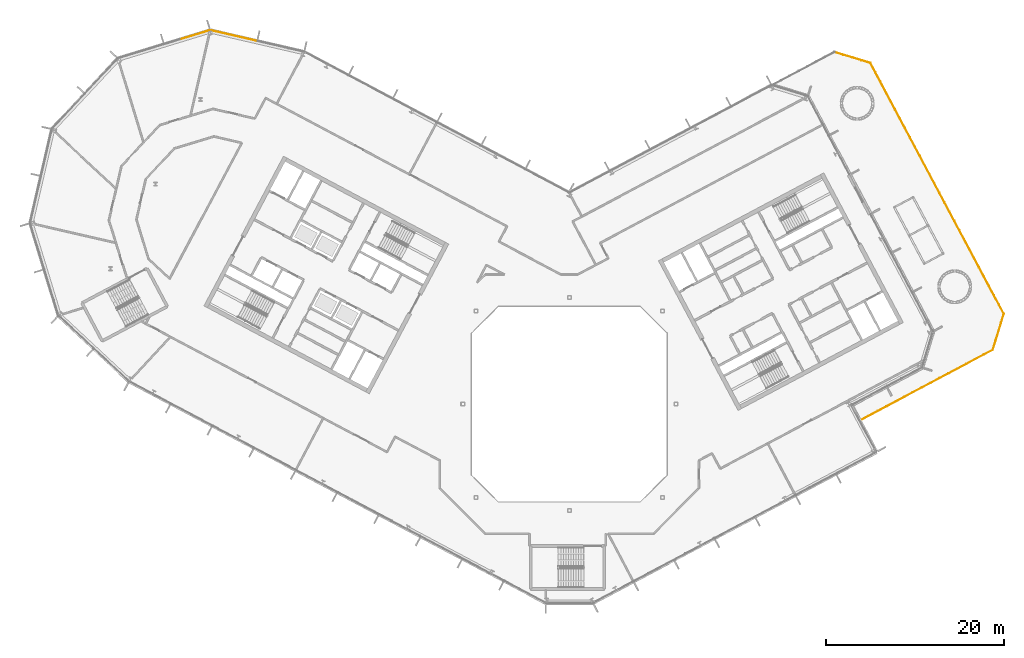
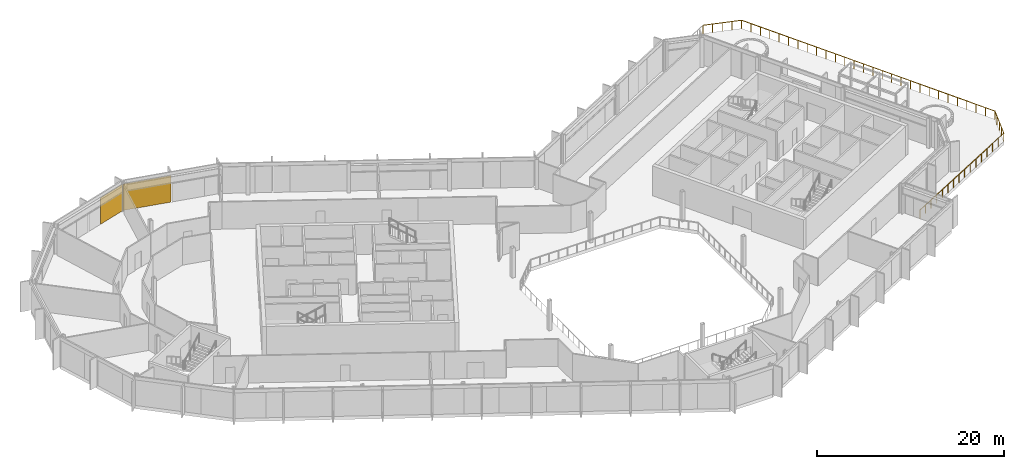
# One storey, part 29 of 30: 2 coverings, 1 railing, 2 elements without a shape of their own.
"""IFC4 building model written with IfcOpenShell, lengths in metres."""

import ifcopenshell
import ifcopenshell.guid

model = None  # the IFC model being written
_history = None  # IfcOwnerHistory: only IFC2X3 demands one
_inside = {}  # id of a spatial element -> (the spatial element, [elements in it])
_under = {}  # id of a project, library or spatial element -> (it, [spatial elements below it])
_declared = {}  # id of a project -> (the project, [libraries it declares])
_typed = {}  # id of a type object -> (the type object, [elements of that type])
_made_of = {}  # id of a material, layer set ... -> (it, [elements and type objects made of it])


def new_model(schema):
    """Start an empty IFC model of exactly this schema.

    Asked for "IFC4X3", IfcOpenShell would pick the latest addendum, in which some entities
    have other attributes; the version numbers below select the first issue.
    IFC2X3 requires an IfcOwnerHistory on every rooted entity: one is made here for all.
    """
    global model, _history
    if schema == "IFC4X3":
        model = ifcopenshell.file(schema_version=(4, 3, 0, 0))
    else:
        model = ifcopenshell.file(schema=schema)
    _inside.clear()
    _under.clear()
    _declared.clear()
    _typed.clear()
    _made_of.clear()
    _history = None
    if model.schema == "IFC2X3":
        org = make("IfcOrganization", Name="unknown")
        user = make(
            "IfcPersonAndOrganization",
            ThePerson=make("IfcPerson", FamilyName="unknown"),
            TheOrganization=org,
        )
        app = make(
            "IfcApplication",
            ApplicationDeveloper=org,
            Version="unknown",
            ApplicationFullName="unknown",
            ApplicationIdentifier="unknown",
        )
        _history = make(
            "IfcOwnerHistory",
            OwningUser=user,
            OwningApplication=app,
            ChangeAction="ADDED",
            CreationDate=0,
        )
    return model


def make(cls, **values):
    """One entity of the class cls with the attributes given. An attribute that is None is left unset."""
    return model.create_entity(
        cls, **{name: value for name, value in values.items() if value is not None}
    )


def rooted(cls, **values):
    """An entity with a GlobalId (a new one), such as an element, a storey or a relation."""
    return make(cls, GlobalId=ifcopenshell.guid.new(), OwnerHistory=_history, **values)


def si_unit(unit_type, name, prefix=None):
    """IfcSIUnit, for example si_unit("LENGTHUNIT", "METRE", prefix="MILLI")."""
    return make("IfcSIUnit", UnitType=unit_type, Prefix=prefix, Name=name)


def assignment(units):
    """IfcUnitAssignment: the units of a project."""
    return None if units is None else make("IfcUnitAssignment", Units=units)


def point(xyz):
    """IfcCartesianPoint."""
    return None if xyz is None else make("IfcCartesianPoint", Coordinates=xyz)


def direction(xyz):
    """IfcDirection."""
    return None if xyz is None else make("IfcDirection", DirectionRatios=xyz)


def frame(location, z_axis=None, x_axis=None):
    """IfcAxis2Placement3D, a coordinate frame: its origin and axes. An axis left out is left unset."""
    return make(
        "IfcAxis2Placement3D",
        Location=point(location),
        Axis=direction(z_axis),
        RefDirection=direction(x_axis),
    )


def frame_2d(location, x_axis=None):
    """IfcAxis2Placement2D, a coordinate frame in the plane: its origin and x axis."""
    return make(
        "IfcAxis2Placement2D", Location=point(location), RefDirection=direction(x_axis)
    )


def origin():
    """The frame at (0, 0, 0) with its axes left unset."""
    return frame((0.0, 0.0, 0.0))


def origin_2d():
    """The frame at (0, 0) in the plane with its x axis left unset."""
    return frame_2d((0.0, 0.0))


def place(relative_to, where):
    """IfcLocalPlacement: puts the frame where relative to a parent placement (None: the world)."""
    return make(
        "IfcLocalPlacement", PlacementRelTo=relative_to, RelativePlacement=where
    )


def context(
    kind, dimensions, precision=None, world=None, true_north=None, identifier=None
):
    """IfcGeometricRepresentationContext, for example the 3D "Model" context."""
    return make(
        "IfcGeometricRepresentationContext",
        ContextIdentifier=identifier,
        ContextType=kind,
        CoordinateSpaceDimension=dimensions,
        Precision=precision,
        WorldCoordinateSystem=world,
        TrueNorth=true_north,
    )


def subcontext(parent, identifier, kind, view, scale=None):
    """IfcGeometricRepresentationSubContext, for example "Body" below "Model"."""
    return make(
        "IfcGeometricRepresentationSubContext",
        ContextIdentifier=identifier,
        ContextType=kind,
        ParentContext=parent,
        TargetScale=scale,
        TargetView=view,
    )


def project(units=None, contexts=None):
    """IfcProject with its units and contexts."""
    return rooted(
        "IfcProject",
        Name="project",
        RepresentationContexts=contexts,
        UnitsInContext=assignment(units),
    )


def spatial(cls, under=None, at=None, **own):
    """A site, building, storey or space (cls), placed at a placement, below another one or the project."""
    s = rooted(cls, ObjectPlacement=at, **own)
    if under is not None:
        _under.setdefault(under.id(), (under, []))[1].append(s)
    return s


def polyline(points):
    """IfcPolyline through the points."""
    return make("IfcPolyline", Points=[point(p) for p in points])


def profile(cls, at=None, kind="AREA", **sizes):
    """A parametric profile (cls). Its sizes go by their IFC names, for example OverallWidth=200.0."""
    return make(cls, ProfileType=kind, Position=at, **sizes)


def rectangle(**sizes):
    """IfcRectangleProfileDef."""
    return profile("IfcRectangleProfileDef", **sizes)


def outline(outer, holes=None, kind="AREA"):
    """IfcArbitraryClosedProfileDef: a profile drawn as a closed curve; with holes, ...WithVoids."""
    if holes is None:
        return make("IfcArbitraryClosedProfileDef", ProfileType=kind, OuterCurve=outer)
    return make(
        "IfcArbitraryProfileDefWithVoids",
        ProfileType=kind,
        OuterCurve=outer,
        InnerCurves=holes,
    )


def extrude(swept, where, along, depth):
    """IfcExtrudedAreaSolid: the profile swept, set in the frame where, extruded along a direction by depth."""
    return make(
        "IfcExtrudedAreaSolid",
        SweptArea=swept,
        Position=where,
        ExtrudedDirection=direction(along),
        Depth=depth,
    )


def shape(context_of_items, identifier, shape_type, items):
    """IfcShapeRepresentation: the items that make up one representation, for example the "Body"."""
    return make(
        "IfcShapeRepresentation",
        ContextOfItems=context_of_items,
        RepresentationIdentifier=identifier,
        RepresentationType=shape_type,
        Items=items,
    )


def material(Name=None, Category=None):
    """IfcMaterial."""
    return make("IfcMaterial", Name=Name, Category=Category)


def layer(
    of_material, thickness, ventilated=None, Name=None, Category=None, Priority=None
):
    """IfcMaterialLayer: one layer of a wall or slab, of a material (None: an air gap)."""
    return make(
        "IfcMaterialLayer",
        Material=of_material,
        LayerThickness=thickness,
        IsVentilated=ventilated,
        Name=Name,
        Category=Category,
        Priority=Priority,
    )


def layer_set(layers, Name=None):
    """IfcMaterialLayerSet."""
    return make("IfcMaterialLayerSet", MaterialLayers=layers, LayerSetName=Name)


def made_of(thing, what):
    """Note that an element or type object is made of a material, layer set ...; save() writes the relation."""
    if what is not None:
        _made_of.setdefault(what.id(), (what, []))[1].append(thing)
    return thing


def type_object(cls, material=None, **own):
    """A type object (cls), such as IfcWallType, which elements share."""
    return made_of(rooted(cls, **own), material)


def element(
    cls,
    number,
    at=None,
    inside=None,
    cuts=None,
    type_object=None,
    material=None,
    context=None,
    identifier="Body",
    shape_type=None,
    held_by="IfcProductDefinitionShape",
    body=None,
    shapes=None,
    **own,
):
    """One element of the class cls, such as IfcWall. Its Tag is "e" and its number.

    at: its placement. inside: the storey or other place that contains it. cuts: it is an
    opening in that element (IfcRelVoidsElement). A single representation is given by context,
    identifier, shape_type and body (its items); several are given by shapes. held_by: the class
    of the entity that holds the representations. save() writes the other relations.
    """
    e = rooted(cls, Tag="e%d" % number, ObjectPlacement=at, **own)
    if body is not None:
        shapes = [shape(context, identifier, shape_type, body)]
    if shapes is not None:
        e.Representation = make(held_by, Representations=shapes)
    if inside is not None:
        _inside.setdefault(inside.id(), (inside, []))[1].append(e)
    if cuts is not None:
        rooted(
            "IfcRelVoidsElement", RelatingBuildingElement=cuts, RelatedOpeningElement=e
        )
    if type_object is not None:
        _typed.setdefault(type_object.id(), (type_object, []))[1].append(e)
    return made_of(e, material)


def aggregate(whole, parts):
    """IfcRelAggregates: a whole, such as a stair, and the parts it consists of."""
    return rooted("IfcRelAggregates", RelatingObject=whole, RelatedObjects=parts)


def save(model, path):
    """Write the relations noted so far, then the file.

    IfcRelAggregates (storeys below a building ...), IfcRelContainedInSpatialStructure (elements
    in a storey), IfcRelDefinesByType, IfcRelAssociatesMaterial and IfcRelDeclares: one each for
    every whole, place, type object, material and project.
    """
    for whole, parts in _under.values():
        aggregate(whole, parts)
    for where, things in _inside.values():
        rooted(
            "IfcRelContainedInSpatialStructure",
            RelatedElements=things,
            RelatingStructure=where,
        )
    for kind, things in _typed.values():
        rooted("IfcRelDefinesByType", RelatedObjects=things, RelatingType=kind)
    for what, things in _made_of.values():
        rooted("IfcRelAssociatesMaterial", RelatedObjects=things, RelatingMaterial=what)
    for by, libraries in _declared.values():
        rooted("IfcRelDeclares", RelatingContext=by, RelatedDefinitions=libraries)
    model.write(path)


model = new_model("IFC4")

# Units and contexts
model_context = context("Model", 3, precision=1e-05, world=origin(), true_north=direction((0.0, 1.0)))
body_context = subcontext(model_context, "Body", "Model", "MODEL_VIEW")
ifc_project = project(units=[si_unit("LENGTHUNIT", "METRE"), si_unit("AREAUNIT", "SQUARE_METRE"), si_unit("VOLUMEUNIT", "CUBIC_METRE"), si_unit("PLANEANGLEUNIT", "RADIAN"), si_unit("MASSUNIT", "GRAM", prefix="KILO")], contexts=[model_context])

# Site, building, storey
site_placement = place(None, origin())
site = spatial("IfcSite", under=ifc_project, at=site_placement, CompositionType="ELEMENT")
building_placement = place(site_placement, origin())
building = spatial("IfcBuilding", under=site, at=building_placement, Name="Cormorant Relay Tower", CompositionType="ELEMENT")
storey_placement = place(building_placement, frame((0.0, 0.0, 258.0)))
storey = spatial("IfcBuildingStorey", under=building, at=storey_placement, Name="L57", CompositionType="ELEMENT", Elevation=258.0)

# Curtain wall, covering
ifc_material_1 = material(Name="Aluminium 6063-T6 anodised bronze", Category="aluminium")
ifc_layer_1 = layer(ifc_material_1, 0.199951171875)
ifc_layer_set_1 = layer_set([ifc_layer_1], Name="CW1 unitised bronze curtain wall with vertical fins")
curtain_wall_type = type_object("IfcCurtainWallType", Name="CW1 unitised bronze curtain wall with vertical fins", PredefinedType="NOTDEFINED", material=ifc_layer_set_1)
curtain_wall_1_placement = place(storey_placement, origin())
curtain_wall_1 = element("IfcCurtainWall", 1, at=curtain_wall_1_placement, inside=storey, type_object=curtain_wall_type, Name="CW1 curtain wall 10", PredefinedType="NOTDEFINED")
ifc_material_2 = material(Name="Pale bronze anodised aluminium insulated panel", Category="aluminium")
ifc_layer_2 = layer(ifc_material_2, 0.0400390625)
ifc_layer_set_2 = layer_set([ifc_layer_2], Name="CW1 pale bronze insulated panel 40")
covering_type = type_object("IfcCoveringType", Name="CW1 pale bronze insulated panel 40", PredefinedType="CLADDING", material=ifc_layer_set_2)
covering_1_placement = place(storey_placement, frame((-37.849609375, 41.530029296875, 0.0), z_axis=(0.0, 0.0, 1.0), x_axis=(-0.974370064785, 0.224951054344, 0.0)))
covering_1 = element("IfcCovering", 2, at=covering_1_placement, type_object=covering_type, Name="CW1 panel S02", PredefinedType="CLADDING", context=body_context, shape_type="SweptSolid", body=[
    extrude(rectangle(XDim=5.360107421875, YDim=0.0400390625, at=origin_2d()), origin(), (0.0, 0.0, 1.0), 3.449951171875),
])
aggregate(curtain_wall_1, [covering_1])

curtain_wall_2_placement = place(storey_placement, origin())
curtain_wall_2 = element("IfcCurtainWall", 3, at=curtain_wall_2_placement, inside=storey, type_object=curtain_wall_type, Name="CW1 curtain wall 11", PredefinedType="NOTDEFINED")
covering_2_placement = place(storey_placement, frame((-42.209716796875, 41.60107421875, 0.0), z_axis=(0.0, 0.0, 1.0), x_axis=(-0.956304755963, -0.292371704723, 0.0)))
covering_2 = element("IfcCovering", 4, at=covering_2_placement, type_object=covering_type, Name="CW1 panel S00", PredefinedType="CLADDING", context=body_context, shape_type="SweptSolid", body=[
    extrude(rectangle(XDim=3.485107421875, YDim=0.0400390625, at=origin_2d()), origin(), (0.0, 0.0, 1.0), 3.449951171875),
])
aggregate(curtain_wall_2, [covering_2])

# Railing
ifc_material_3 = material(Name="Stainless steel guard with laminated glass infill", Category="steel")
railing_type = type_object("IfcRailingType", Name="Slab edge guard 1100", PredefinedType="GUARDRAIL", material=ifc_material_3)
railing_placement = place(storey_placement, frame((29.873779296875, 39.668212890625, 0.0)))
element("IfcRailing", 5, at=railing_placement, inside=storey, type_object=railing_type, Name="Terrace guard L57", PredefinedType="GUARDRAIL", context=body_context, shape_type="SweptSolid", body=[
    extrude(outline(polyline([(0.022216796875, 0.00927734375), (0.00927734375, 0.022216796875), (-0.00927734375, 0.022216796875), (-0.022216796875, 0.00927734375), (-0.022216796875, -0.00927734375), (-0.00927734375, -0.022216796875), (0.00927734375, -0.022216796875), (0.022216796875, -0.00927734375), (0.022216796875, 0.00927734375)])), frame((0.0, 0.0, 1.076171875), z_axis=(0.95629884225, -0.292391046905, 0.0), x_axis=(0.292391046905, 0.95629884225, 0.0)), (0.0, 0.0, 1.0), 4.242431640625),
    extrude(outline(polyline([(0.022216796875, 0.00927734375), (0.00927734375, 0.022216796875), (-0.00927734375, 0.022216796875), (-0.022216796875, 0.00927734375), (-0.022216796875, -0.00927734375), (-0.00927734375, -0.022216796875), (0.00927734375, -0.022216796875), (0.022216796875, -0.00927734375), (0.022216796875, 0.00927734375)])), frame((4.05712890625, -1.240478515625, 1.076171875), z_axis=(0.469473153673, -0.882946746967, 0.0), x_axis=(0.882946746967, 0.469473153673, 0.0)), (0.0, 0.0, 1.0), 32.0),
    extrude(outline(polyline([(0.022216796875, 0.00927734375), (0.00927734375, 0.022216796875), (-0.00927734375, 0.022216796875), (-0.022216796875, 0.00927734375), (-0.022216796875, -0.00927734375), (-0.00927734375, -0.022216796875), (0.00927734375, -0.022216796875), (0.022216796875, -0.00927734375), (0.022216796875, 0.00927734375)])), frame((19.080322265625, -29.494873046875, 1.076171875), z_axis=(-0.292391046905, -0.95629884225, 0.0), x_axis=(0.95629884225, -0.292391046905, 0.0)), (0.0, 0.0, 1.0), 4.242431640625),
    extrude(outline(polyline([(0.022216796875, 0.00927734375), (0.00927734375, 0.022216796875), (-0.00927734375, 0.022216796875), (-0.022216796875, 0.00927734375), (-0.022216796875, -0.00927734375), (-0.00927734375, -0.022216796875), (0.00927734375, -0.022216796875), (0.022216796875, -0.00927734375), (0.022216796875, 0.00927734375)])), frame((17.83984375, -33.552001953125, 1.076171875), z_axis=(-0.882946328049, -0.46947394154, 0.0), x_axis=(0.46947394154, -0.882946328049, 0.0)), (0.0, 0.0, 1.0), 16.949951171875),
    extrude(outline(polyline([(0.019287109375, 0.008056640625), (0.008056640625, 0.019287109375), (-0.008056640625, 0.019287109375), (-0.019287109375, 0.008056640625), (-0.019287109375, -0.008056640625), (-0.008056640625, -0.019287109375), (0.008056640625, -0.019287109375), (0.019287109375, -0.008056640625), (0.019287109375, 0.008056640625)])), origin(), (0.0, 0.0, 1.0), 1.052001953125),
    extrude(outline(polyline([(0.019287109375, 0.008056640625), (0.008056640625, 0.019287109375), (-0.008056640625, 0.019287109375), (-0.019287109375, 0.008056640625), (-0.019287109375, -0.008056640625), (-0.008056640625, -0.019287109375), (0.008056640625, -0.019287109375), (0.019287109375, -0.008056640625), (0.019287109375, 0.008056640625)])), frame((1.01416015625, -0.31005859375, 0.0)), (0.0, 0.0, 1.0), 1.052001953125),
    extrude(outline(polyline([(0.019287109375, 0.008056640625), (0.008056640625, 0.019287109375), (-0.008056640625, 0.019287109375), (-0.019287109375, 0.008056640625), (-0.019287109375, -0.008056640625), (-0.008056640625, -0.019287109375), (0.008056640625, -0.019287109375), (0.019287109375, -0.008056640625), (0.019287109375, 0.008056640625)])), frame((2.028564453125, -0.6201171875, 0.0)), (0.0, 0.0, 1.0), 1.052001953125),
    extrude(outline(polyline([(0.019287109375, 0.008056640625), (0.008056640625, 0.019287109375), (-0.008056640625, 0.019287109375), (-0.019287109375, 0.008056640625), (-0.019287109375, -0.008056640625), (-0.008056640625, -0.019287109375), (0.008056640625, -0.019287109375), (0.019287109375, -0.008056640625), (0.019287109375, 0.008056640625)])), frame((3.04296875, -0.930419921875, 0.0)), (0.0, 0.0, 1.0), 1.052001953125),
    extrude(outline(polyline([(0.019287109375, 0.008056640625), (0.008056640625, 0.019287109375), (-0.008056640625, 0.019287109375), (-0.019287109375, 0.008056640625), (-0.019287109375, -0.008056640625), (-0.008056640625, -0.019287109375), (0.008056640625, -0.019287109375), (0.019287109375, -0.008056640625), (0.019287109375, 0.008056640625)])), frame((4.05712890625, -1.240478515625, 0.0)), (0.0, 0.0, 1.0), 1.052001953125),
    extrude(outline(polyline([(0.019287109375, 0.008056640625), (0.008056640625, 0.019287109375), (-0.008056640625, 0.019287109375), (-0.019287109375, 0.008056640625), (-0.019287109375, -0.008056640625), (-0.008056640625, -0.019287109375), (0.008056640625, -0.019287109375), (0.019287109375, -0.008056640625), (0.019287109375, 0.008056640625)])), frame((4.613525390625, -2.286865234375, 0.0)), (0.0, 0.0, 1.0), 1.052001953125),
    extrude(outline(polyline([(0.019287109375, 0.008056640625), (0.008056640625, 0.019287109375), (-0.008056640625, 0.019287109375), (-0.019287109375, 0.008056640625), (-0.019287109375, -0.008056640625), (-0.008056640625, -0.019287109375), (0.008056640625, -0.019287109375), (0.019287109375, -0.008056640625), (0.019287109375, 0.008056640625)])), frame((5.169921875, -3.33349609375, 0.0)), (0.0, 0.0, 1.0), 1.052001953125),
    extrude(outline(polyline([(0.019287109375, 0.008056640625), (0.008056640625, 0.019287109375), (-0.008056640625, 0.019287109375), (-0.019287109375, 0.008056640625), (-0.019287109375, -0.008056640625), (-0.008056640625, -0.019287109375), (0.008056640625, -0.019287109375), (0.019287109375, -0.008056640625), (0.019287109375, 0.008056640625)])), frame((5.726318359375, -4.3798828125, 0.0)), (0.0, 0.0, 1.0), 1.052001953125),
    extrude(outline(polyline([(0.019287109375, 0.008056640625), (0.008056640625, 0.019287109375), (-0.008056640625, 0.019287109375), (-0.019287109375, 0.008056640625), (-0.019287109375, -0.008056640625), (-0.008056640625, -0.019287109375), (0.008056640625, -0.019287109375), (0.019287109375, -0.008056640625), (0.019287109375, 0.008056640625)])), frame((6.28271484375, -5.42626953125, 0.0)), (0.0, 0.0, 1.0), 1.052001953125),
    extrude(outline(polyline([(0.019287109375, 0.008056640625), (0.008056640625, 0.019287109375), (-0.008056640625, 0.019287109375), (-0.019287109375, 0.008056640625), (-0.019287109375, -0.008056640625), (-0.008056640625, -0.019287109375), (0.008056640625, -0.019287109375), (0.019287109375, -0.008056640625), (0.019287109375, 0.008056640625)])), frame((6.839111328125, -6.47265625, 0.0)), (0.0, 0.0, 1.0), 1.052001953125),
    extrude(outline(polyline([(0.019287109375, 0.008056640625), (0.008056640625, 0.019287109375), (-0.008056640625, 0.019287109375), (-0.019287109375, 0.008056640625), (-0.019287109375, -0.008056640625), (-0.008056640625, -0.019287109375), (0.008056640625, -0.019287109375), (0.019287109375, -0.008056640625), (0.019287109375, 0.008056640625)])), frame((7.3955078125, -7.519287109375, 0.0)), (0.0, 0.0, 1.0), 1.052001953125),
    extrude(outline(polyline([(0.019287109375, 0.008056640625), (0.008056640625, 0.019287109375), (-0.008056640625, 0.019287109375), (-0.019287109375, 0.008056640625), (-0.019287109375, -0.008056640625), (-0.008056640625, -0.019287109375), (0.008056640625, -0.019287109375), (0.019287109375, -0.008056640625), (0.019287109375, 0.008056640625)])), frame((7.9521484375, -8.565673828125, 0.0)), (0.0, 0.0, 1.0), 1.052001953125),
    extrude(outline(polyline([(0.019287109375, 0.008056640625), (0.008056640625, 0.019287109375), (-0.008056640625, 0.019287109375), (-0.019287109375, 0.008056640625), (-0.019287109375, -0.008056640625), (-0.008056640625, -0.019287109375), (0.008056640625, -0.019287109375), (0.019287109375, -0.008056640625), (0.019287109375, 0.008056640625)])), frame((8.508544921875, -9.612060546875, 0.0)), (0.0, 0.0, 1.0), 1.052001953125),
    extrude(outline(polyline([(0.019287109375, 0.008056640625), (0.008056640625, 0.019287109375), (-0.008056640625, 0.019287109375), (-0.019287109375, 0.008056640625), (-0.019287109375, -0.008056640625), (-0.008056640625, -0.019287109375), (0.008056640625, -0.019287109375), (0.019287109375, -0.008056640625), (0.019287109375, 0.008056640625)])), frame((9.06494140625, -10.65869140625, 0.0)), (0.0, 0.0, 1.0), 1.052001953125),
    extrude(outline(polyline([(0.019287109375, 0.008056640625), (0.008056640625, 0.019287109375), (-0.008056640625, 0.019287109375), (-0.019287109375, 0.008056640625), (-0.019287109375, -0.008056640625), (-0.008056640625, -0.019287109375), (0.008056640625, -0.019287109375), (0.019287109375, -0.008056640625), (0.019287109375, 0.008056640625)])), frame((9.621337890625, -11.705078125, 0.0)), (0.0, 0.0, 1.0), 1.052001953125),
    extrude(outline(polyline([(0.019287109375, 0.008056640625), (0.008056640625, 0.019287109375), (-0.008056640625, 0.019287109375), (-0.019287109375, 0.008056640625), (-0.019287109375, -0.008056640625), (-0.008056640625, -0.019287109375), (0.008056640625, -0.019287109375), (0.019287109375, -0.008056640625), (0.019287109375, 0.008056640625)])), frame((10.177734375, -12.75146484375, 0.0)), (0.0, 0.0, 1.0), 1.052001953125),
    extrude(outline(polyline([(0.019287109375, 0.008056640625), (0.008056640625, 0.019287109375), (-0.008056640625, 0.019287109375), (-0.019287109375, 0.008056640625), (-0.019287109375, -0.008056640625), (-0.008056640625, -0.019287109375), (0.008056640625, -0.019287109375), (0.019287109375, -0.008056640625), (0.019287109375, 0.008056640625)])), frame((10.734130859375, -13.798095703125, 0.0)), (0.0, 0.0, 1.0), 1.052001953125),
    extrude(outline(polyline([(0.019287109375, 0.008056640625), (0.008056640625, 0.019287109375), (-0.008056640625, 0.019287109375), (-0.019287109375, 0.008056640625), (-0.019287109375, -0.008056640625), (-0.008056640625, -0.019287109375), (0.008056640625, -0.019287109375), (0.019287109375, -0.008056640625), (0.019287109375, 0.008056640625)])), frame((11.29052734375, -14.844482421875, 0.0)), (0.0, 0.0, 1.0), 1.052001953125),
    extrude(outline(polyline([(0.019287109375, 0.008056640625), (0.008056640625, 0.019287109375), (-0.008056640625, 0.019287109375), (-0.019287109375, 0.008056640625), (-0.019287109375, -0.008056640625), (-0.008056640625, -0.019287109375), (0.008056640625, -0.019287109375), (0.019287109375, -0.008056640625), (0.019287109375, 0.008056640625)])), frame((11.846923828125, -15.890869140625, 0.0)), (0.0, 0.0, 1.0), 1.052001953125),
    extrude(outline(polyline([(0.019287109375, 0.008056640625), (0.008056640625, 0.019287109375), (-0.008056640625, 0.019287109375), (-0.019287109375, 0.008056640625), (-0.019287109375, -0.008056640625), (-0.008056640625, -0.019287109375), (0.008056640625, -0.019287109375), (0.019287109375, -0.008056640625), (0.019287109375, 0.008056640625)])), frame((12.4033203125, -16.937255859375, 0.0)), (0.0, 0.0, 1.0), 1.052001953125),
    extrude(outline(polyline([(0.019287109375, 0.008056640625), (0.008056640625, 0.019287109375), (-0.008056640625, 0.019287109375), (-0.019287109375, 0.008056640625), (-0.019287109375, -0.008056640625), (-0.008056640625, -0.019287109375), (0.008056640625, -0.019287109375), (0.019287109375, -0.008056640625), (0.019287109375, 0.008056640625)])), frame((12.959716796875, -17.98388671875, 0.0)), (0.0, 0.0, 1.0), 1.052001953125),
    extrude(outline(polyline([(0.019287109375, 0.008056640625), (0.008056640625, 0.019287109375), (-0.008056640625, 0.019287109375), (-0.019287109375, 0.008056640625), (-0.019287109375, -0.008056640625), (-0.008056640625, -0.019287109375), (0.008056640625, -0.019287109375), (0.019287109375, -0.008056640625), (0.019287109375, 0.008056640625)])), frame((13.51611328125, -19.0302734375, 0.0)), (0.0, 0.0, 1.0), 1.052001953125),
    extrude(outline(polyline([(0.019287109375, 0.008056640625), (0.008056640625, 0.019287109375), (-0.008056640625, 0.019287109375), (-0.019287109375, 0.008056640625), (-0.019287109375, -0.008056640625), (-0.008056640625, -0.019287109375), (0.008056640625, -0.019287109375), (0.019287109375, -0.008056640625), (0.019287109375, 0.008056640625)])), frame((14.072509765625, -20.07666015625, 0.0)), (0.0, 0.0, 1.0), 1.052001953125),
    extrude(outline(polyline([(0.019287109375, 0.008056640625), (0.008056640625, 0.019287109375), (-0.008056640625, 0.019287109375), (-0.019287109375, 0.008056640625), (-0.019287109375, -0.008056640625), (-0.008056640625, -0.019287109375), (0.008056640625, -0.019287109375), (0.019287109375, -0.008056640625), (0.019287109375, 0.008056640625)])), frame((14.62890625, -21.123291015625, 0.0)), (0.0, 0.0, 1.0), 1.052001953125),
    extrude(outline(polyline([(0.019287109375, 0.008056640625), (0.008056640625, 0.019287109375), (-0.008056640625, 0.019287109375), (-0.019287109375, 0.008056640625), (-0.019287109375, -0.008056640625), (-0.008056640625, -0.019287109375), (0.008056640625, -0.019287109375), (0.019287109375, -0.008056640625), (0.019287109375, 0.008056640625)])), frame((15.185302734375, -22.169677734375, 0.0)), (0.0, 0.0, 1.0), 1.052001953125),
    extrude(outline(polyline([(0.019287109375, 0.008056640625), (0.008056640625, 0.019287109375), (-0.008056640625, 0.019287109375), (-0.019287109375, 0.008056640625), (-0.019287109375, -0.008056640625), (-0.008056640625, -0.019287109375), (0.008056640625, -0.019287109375), (0.019287109375, -0.008056640625), (0.019287109375, 0.008056640625)])), frame((15.741943359375, -23.216064453125, 0.0)), (0.0, 0.0, 1.0), 1.052001953125),
    extrude(outline(polyline([(0.019287109375, 0.008056640625), (0.008056640625, 0.019287109375), (-0.008056640625, 0.019287109375), (-0.019287109375, 0.008056640625), (-0.019287109375, -0.008056640625), (-0.008056640625, -0.019287109375), (0.008056640625, -0.019287109375), (0.019287109375, -0.008056640625), (0.019287109375, 0.008056640625)])), frame((16.29833984375, -24.2626953125, 0.0)), (0.0, 0.0, 1.0), 1.052001953125),
    extrude(outline(polyline([(0.019287109375, 0.008056640625), (0.008056640625, 0.019287109375), (-0.008056640625, 0.019287109375), (-0.019287109375, 0.008056640625), (-0.019287109375, -0.008056640625), (-0.008056640625, -0.019287109375), (0.008056640625, -0.019287109375), (0.019287109375, -0.008056640625), (0.019287109375, 0.008056640625)])), frame((16.854736328125, -25.30908203125, 0.0)), (0.0, 0.0, 1.0), 1.052001953125),
    extrude(outline(polyline([(0.019287109375, 0.008056640625), (0.008056640625, 0.019287109375), (-0.008056640625, 0.019287109375), (-0.019287109375, 0.008056640625), (-0.019287109375, -0.008056640625), (-0.008056640625, -0.019287109375), (0.008056640625, -0.019287109375), (0.019287109375, -0.008056640625), (0.019287109375, 0.008056640625)])), frame((17.4111328125, -26.35546875, 0.0)), (0.0, 0.0, 1.0), 1.052001953125),
    extrude(outline(polyline([(0.019287109375, 0.008056640625), (0.008056640625, 0.019287109375), (-0.008056640625, 0.019287109375), (-0.019287109375, 0.008056640625), (-0.019287109375, -0.008056640625), (-0.008056640625, -0.019287109375), (0.008056640625, -0.019287109375), (0.019287109375, -0.008056640625), (0.019287109375, 0.008056640625)])), frame((17.967529296875, -27.40185546875, 0.0)), (0.0, 0.0, 1.0), 1.052001953125),
    extrude(outline(polyline([(0.019287109375, 0.008056640625), (0.008056640625, 0.019287109375), (-0.008056640625, 0.019287109375), (-0.019287109375, 0.008056640625), (-0.019287109375, -0.008056640625), (-0.008056640625, -0.019287109375), (0.008056640625, -0.019287109375), (0.019287109375, -0.008056640625), (0.019287109375, 0.008056640625)])), frame((18.52392578125, -28.448486328125, 0.0)), (0.0, 0.0, 1.0), 1.052001953125),
    extrude(outline(polyline([(0.019287109375, 0.008056640625), (0.008056640625, 0.019287109375), (-0.008056640625, 0.019287109375), (-0.019287109375, 0.008056640625), (-0.019287109375, -0.008056640625), (-0.008056640625, -0.019287109375), (0.008056640625, -0.019287109375), (0.019287109375, -0.008056640625), (0.019287109375, 0.008056640625)])), frame((19.080322265625, -29.494873046875, 0.0)), (0.0, 0.0, 1.0), 1.052001953125),
    extrude(outline(polyline([(0.019287109375, 0.008056640625), (0.008056640625, 0.019287109375), (-0.008056640625, 0.019287109375), (-0.019287109375, 0.008056640625), (-0.019287109375, -0.008056640625), (-0.008056640625, -0.019287109375), (0.008056640625, -0.019287109375), (0.019287109375, -0.008056640625), (0.019287109375, 0.008056640625)])), frame((18.770263671875, -30.50927734375, 0.0)), (0.0, 0.0, 1.0), 1.052001953125),
    extrude(outline(polyline([(0.019287109375, 0.008056640625), (0.008056640625, 0.019287109375), (-0.008056640625, 0.019287109375), (-0.019287109375, 0.008056640625), (-0.019287109375, -0.008056640625), (-0.008056640625, -0.019287109375), (0.008056640625, -0.019287109375), (0.019287109375, -0.008056640625), (0.019287109375, 0.008056640625)])), frame((18.4599609375, -31.5234375, 0.0)), (0.0, 0.0, 1.0), 1.052001953125),
    extrude(outline(polyline([(0.019287109375, 0.008056640625), (0.008056640625, 0.019287109375), (-0.008056640625, 0.019287109375), (-0.019287109375, 0.008056640625), (-0.019287109375, -0.008056640625), (-0.008056640625, -0.019287109375), (0.008056640625, -0.019287109375), (0.019287109375, -0.008056640625), (0.019287109375, 0.008056640625)])), frame((18.14990234375, -32.53759765625, 0.0)), (0.0, 0.0, 1.0), 1.052001953125),
    extrude(outline(polyline([(0.019287109375, 0.008056640625), (0.008056640625, 0.019287109375), (-0.008056640625, 0.019287109375), (-0.019287109375, 0.008056640625), (-0.019287109375, -0.008056640625), (-0.008056640625, -0.019287109375), (0.008056640625, -0.019287109375), (0.019287109375, -0.008056640625), (0.019287109375, 0.008056640625)])), frame((17.83984375, -33.552001953125, 0.0)), (0.0, 0.0, 1.0), 1.052001953125),
    extrude(outline(polyline([(0.019287109375, 0.008056640625), (0.008056640625, 0.019287109375), (-0.008056640625, 0.019287109375), (-0.019287109375, 0.008056640625), (-0.019287109375, -0.008056640625), (-0.008056640625, -0.019287109375), (0.008056640625, -0.019287109375), (0.019287109375, -0.008056640625), (0.019287109375, 0.008056640625)])), frame((16.842041015625, -34.08251953125, 0.0)), (0.0, 0.0, 1.0), 1.052001953125),
    extrude(outline(polyline([(0.019287109375, 0.008056640625), (0.008056640625, 0.019287109375), (-0.008056640625, 0.019287109375), (-0.019287109375, 0.008056640625), (-0.019287109375, -0.008056640625), (-0.008056640625, -0.019287109375), (0.008056640625, -0.019287109375), (0.019287109375, -0.008056640625), (0.019287109375, 0.008056640625)])), frame((15.844482421875, -34.613037109375, 0.0)), (0.0, 0.0, 1.0), 1.052001953125),
    extrude(outline(polyline([(0.019287109375, 0.008056640625), (0.008056640625, 0.019287109375), (-0.008056640625, 0.019287109375), (-0.019287109375, 0.008056640625), (-0.019287109375, -0.008056640625), (-0.008056640625, -0.019287109375), (0.008056640625, -0.019287109375), (0.019287109375, -0.008056640625), (0.019287109375, 0.008056640625)])), frame((14.8466796875, -35.1435546875, 0.0)), (0.0, 0.0, 1.0), 1.052001953125),
    extrude(outline(polyline([(0.019287109375, 0.008056640625), (0.008056640625, 0.019287109375), (-0.008056640625, 0.019287109375), (-0.019287109375, 0.008056640625), (-0.019287109375, -0.008056640625), (-0.008056640625, -0.019287109375), (0.008056640625, -0.019287109375), (0.019287109375, -0.008056640625), (0.019287109375, 0.008056640625)])), frame((13.848876953125, -35.674072265625, 0.0)), (0.0, 0.0, 1.0), 1.052001953125),
    extrude(outline(polyline([(0.019287109375, 0.008056640625), (0.008056640625, 0.019287109375), (-0.008056640625, 0.019287109375), (-0.019287109375, 0.008056640625), (-0.019287109375, -0.008056640625), (-0.008056640625, -0.019287109375), (0.008056640625, -0.019287109375), (0.019287109375, -0.008056640625), (0.019287109375, 0.008056640625)])), frame((12.851318359375, -36.20458984375, 0.0)), (0.0, 0.0, 1.0), 1.052001953125),
    extrude(outline(polyline([(0.019287109375, 0.008056640625), (0.008056640625, 0.019287109375), (-0.008056640625, 0.019287109375), (-0.019287109375, 0.008056640625), (-0.019287109375, -0.008056640625), (-0.008056640625, -0.019287109375), (0.008056640625, -0.019287109375), (0.019287109375, -0.008056640625), (0.019287109375, 0.008056640625)])), frame((11.853515625, -36.735107421875, 0.0)), (0.0, 0.0, 1.0), 1.052001953125),
    extrude(outline(polyline([(0.019287109375, 0.008056640625), (0.008056640625, 0.019287109375), (-0.008056640625, 0.019287109375), (-0.019287109375, 0.008056640625), (-0.019287109375, -0.008056640625), (-0.008056640625, -0.019287109375), (0.008056640625, -0.019287109375), (0.019287109375, -0.008056640625), (0.019287109375, 0.008056640625)])), frame((10.855712890625, -37.265625, 0.0)), (0.0, 0.0, 1.0), 1.052001953125),
    extrude(outline(polyline([(0.019287109375, 0.008056640625), (0.008056640625, 0.019287109375), (-0.008056640625, 0.019287109375), (-0.019287109375, 0.008056640625), (-0.019287109375, -0.008056640625), (-0.008056640625, -0.019287109375), (0.008056640625, -0.019287109375), (0.019287109375, -0.008056640625), (0.019287109375, 0.008056640625)])), frame((9.858154296875, -37.7958984375, 0.0)), (0.0, 0.0, 1.0), 1.052001953125),
    extrude(outline(polyline([(0.019287109375, 0.008056640625), (0.008056640625, 0.019287109375), (-0.008056640625, 0.019287109375), (-0.019287109375, 0.008056640625), (-0.019287109375, -0.008056640625), (-0.008056640625, -0.019287109375), (0.008056640625, -0.019287109375), (0.019287109375, -0.008056640625), (0.019287109375, 0.008056640625)])), frame((8.8603515625, -38.326416015625, 0.0)), (0.0, 0.0, 1.0), 1.052001953125),
    extrude(outline(polyline([(0.019287109375, 0.008056640625), (0.008056640625, 0.019287109375), (-0.008056640625, 0.019287109375), (-0.019287109375, 0.008056640625), (-0.019287109375, -0.008056640625), (-0.008056640625, -0.019287109375), (0.008056640625, -0.019287109375), (0.019287109375, -0.008056640625), (0.019287109375, 0.008056640625)])), frame((7.862548828125, -38.85693359375, 0.0)), (0.0, 0.0, 1.0), 1.052001953125),
    extrude(outline(polyline([(0.019287109375, 0.008056640625), (0.008056640625, 0.019287109375), (-0.008056640625, 0.019287109375), (-0.019287109375, 0.008056640625), (-0.019287109375, -0.008056640625), (-0.008056640625, -0.019287109375), (0.008056640625, -0.019287109375), (0.019287109375, -0.008056640625), (0.019287109375, 0.008056640625)])), frame((6.864990234375, -39.387451171875, 0.0)), (0.0, 0.0, 1.0), 1.052001953125),
    extrude(outline(polyline([(0.019287109375, 0.008056640625), (0.008056640625, 0.019287109375), (-0.008056640625, 0.019287109375), (-0.019287109375, 0.008056640625), (-0.019287109375, -0.008056640625), (-0.008056640625, -0.019287109375), (0.008056640625, -0.019287109375), (0.019287109375, -0.008056640625), (0.019287109375, 0.008056640625)])), frame((5.8671875, -39.91796875, 0.0)), (0.0, 0.0, 1.0), 1.052001953125),
    extrude(outline(polyline([(0.019287109375, 0.008056640625), (0.008056640625, 0.019287109375), (-0.008056640625, 0.019287109375), (-0.019287109375, 0.008056640625), (-0.019287109375, -0.008056640625), (-0.008056640625, -0.019287109375), (0.008056640625, -0.019287109375), (0.019287109375, -0.008056640625), (0.019287109375, 0.008056640625)])), frame((4.869384765625, -40.448486328125, 0.0)), (0.0, 0.0, 1.0), 1.052001953125),
    extrude(outline(polyline([(0.019287109375, 0.008056640625), (0.008056640625, 0.019287109375), (-0.008056640625, 0.019287109375), (-0.019287109375, 0.008056640625), (-0.019287109375, -0.008056640625), (-0.008056640625, -0.019287109375), (0.008056640625, -0.019287109375), (0.019287109375, -0.008056640625), (0.019287109375, 0.008056640625)])), frame((3.871826171875, -40.97900390625, 0.0)), (0.0, 0.0, 1.0), 1.052001953125),
    extrude(outline(polyline([(0.019287109375, 0.008056640625), (0.008056640625, 0.019287109375), (-0.008056640625, 0.019287109375), (-0.019287109375, 0.008056640625), (-0.019287109375, -0.008056640625), (-0.008056640625, -0.019287109375), (0.008056640625, -0.019287109375), (0.019287109375, -0.008056640625), (0.019287109375, 0.008056640625)])), frame((2.8740234375, -41.509521484375, 0.0)), (0.0, 0.0, 1.0), 1.052001953125),
])

save(model, "model.ifc")
